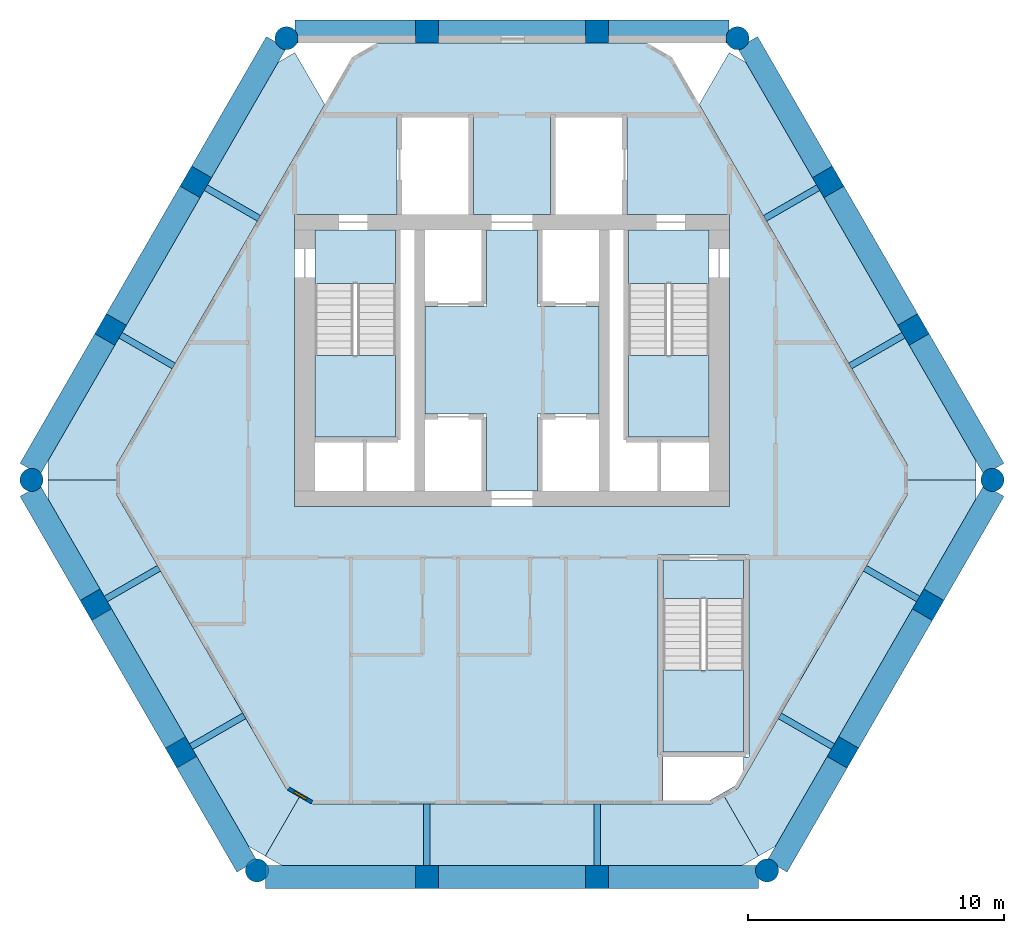
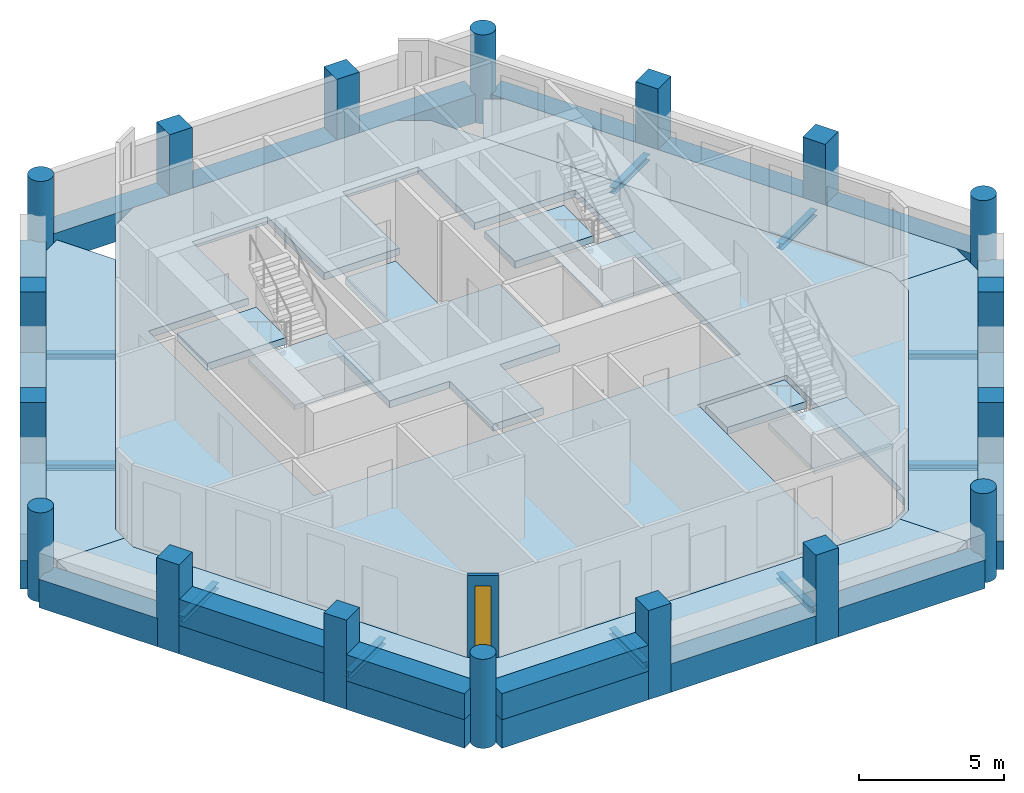
# One storey, part 1 of 6: 28 beams, 18 columns, 13 slabs, 4 walls, 1 window, 1 opening, 3 elements without a shape of their own.
"""IFC4 building model written with IfcOpenShell, lengths in metres."""

from ifc_helpers import new_model, si_unit, direction, frame, frame_2d, origin, origin_2d, place, context, subcontext, project, spatial, polyline, rectangle, circle, i_section, outline, extrude, material, layer, layer_set, material_profile, profile_set, type_object, element, fill, aggregate, save


model = new_model("IFC4")

# Units and contexts
model_context = context("Model", 3, precision=1e-05, world=origin(), true_north=direction((0.0, 1.0)))
body_context = subcontext(model_context, "Body", "Model", "MODEL_VIEW")
ifc_project = project(units=[si_unit("LENGTHUNIT", "METRE"), si_unit("AREAUNIT", "SQUARE_METRE"), si_unit("VOLUMEUNIT", "CUBIC_METRE"), si_unit("PLANEANGLEUNIT", "RADIAN"), si_unit("MASSUNIT", "GRAM", prefix="KILO")], contexts=[model_context])

# Site, building, storey
site_placement = place(None, origin())
site = spatial("IfcSite", under=ifc_project, at=site_placement, CompositionType="ELEMENT")
building_placement = place(site_placement, origin())
building = spatial("IfcBuilding", under=site, at=building_placement, Name="Ostrander Bayou Hotel Tower", CompositionType="ELEMENT")
storey_placement = place(building_placement, frame((0.0, 0.0, 252.5)))
storey = spatial("IfcBuildingStorey", under=building, at=storey_placement, Name="L62", CompositionType="ELEMENT", Elevation=252.5)

# Columns
ifc_material_1 = material(Name="Concrete f'c 60 MPa", Category="concrete")
ifc_material_profile_1 = material_profile(ifc_material_1, circle(Radius=0.449951171875, at=origin_2d()))
ifc_profile_set_1 = profile_set([ifc_material_profile_1], Name="Concrete f'c 60 MPa")
column_type_1 = type_object("IfcColumnType", Name="C7 round column 900 mm f'c 60 MPa", PredefinedType="COLUMN", material=ifc_profile_set_1)
for number, where, z_axis, x_axis, name in (
    (1, (-8.80908203125, 16.588623046875, -1.199951171875), (0.0, 0.0, 1.0), (1.0, 0.0, 0.0), "C7 L62 K0"),
    (2, (-18.770751953125, -0.66552734375, -1.199951171875), (0.0, 0.0, 1.0), (1.0, 0.0, 0.0), "C7 L62 K1"),
    (3, (-9.9619140625, -15.923095703125, -1.199951171875), (0.0, 0.0, 1.0), (1.0, 0.0, 0.0), "C7 L62 K2"),
    (4, (9.9619140625, -15.923095703125, -1.199951171875), (0.0, 0.0, 1.0), (1.0, 0.0, 0.0), "C7 L62 K3"),
    (5, (18.770751953125, -0.66552734375, -1.199951171875), (0.0, 0.0, 1.0), (1.0, 0.0, 0.0), "C7 L62 K4"),
    (6, (8.80908203125, 16.588623046875, -1.199951171875), (0.0, 0.0, 1.0), (1.0, 0.0, 0.0), "C7 L62 K5"),
):
    element("IfcColumn", number, at=place(storey_placement, frame(where, z_axis=z_axis, x_axis=x_axis)), inside=storey, type_object=column_type_1, Name=name, PredefinedType="COLUMN", context=body_context, shape_type="SweptSolid", body=[
        extrude(circle(Radius=0.449951171875, at=origin_2d()), origin(), (0.0, 0.0, 1.0), 3.75),
    ])
ifc_material_2 = material(Name="Concrete f'c 60 MPa", Category="concrete")
ifc_material_profile_2 = material_profile(ifc_material_2, rectangle(XDim=0.89990234375, YDim=0.89990234375, at=origin_2d()))
ifc_profile_set_2 = profile_set([ifc_material_profile_2], Name="Concrete f'c 60 MPa")
column_type_2 = type_object("IfcColumnType", Name="C8 square column 900 x 900 mm f'c 60 MPa", PredefinedType="COLUMN", material=ifc_profile_set_2)
for number, where, z_axis, x_axis, name in (
    (7, (3.329345703125, 16.85009765625, -1.199951171875), (0.0, 0.0, 1.0), (1.0, 0.0, 0.0), "C8 L62 N1"),
    (8, (-3.329345703125, 16.85009765625, -1.199951171875), (0.0, 0.0, 1.0), (1.0, 0.0, 0.0), "C8 L62 N2"),
    (9, (-12.3515625, 10.9755859375, -1.199951171875), (0.0, 0.0, 1.0), (0.5, 0.866025403784, 0.0), "C8 L62 NW1"),
    (10, (-15.680908203125, 5.208984375, -1.199951171875), (0.0, 0.0, 1.0), (0.5, 0.866025403784, 0.0), "C8 L62 NW2"),
    (11, (-16.257080078125, -5.541748046875, -1.199951171875), (0.0, 0.0, 1.0), (-0.5, 0.866025403784, 0.0), "C8 L62 SW1"),
    (12, (-12.927734375, -11.308349609375, -1.199951171875), (0.0, 0.0, 1.0), (-0.5, 0.866025403784, 0.0), "C8 L62 SW2"),
    (13, (-3.329345703125, -16.1845703125, -1.199951171875), (0.0, 0.0, 1.0), (-1.0, 0.0, 0.0), "C8 L62 S1"),
    (14, (3.329345703125, -16.1845703125, -1.199951171875), (0.0, 0.0, 1.0), (-1.0, 0.0, 0.0), "C8 L62 S2"),
    (15, (12.927734375, -11.308349609375, -1.199951171875), (0.0, 0.0, 1.0), (-0.5, -0.866025403784, 0.0), "C8 L62 SE1"),
    (16, (16.257080078125, -5.541748046875, -1.199951171875), (0.0, 0.0, 1.0), (-0.5, -0.866025403784, 0.0), "C8 L62 SE2"),
    (17, (15.680908203125, 5.208984375, -1.199951171875), (0.0, 0.0, 1.0), (0.5, -0.866025403784, 0.0), "C8 L62 NE1"),
    (18, (12.3515625, 10.9755859375, -1.199951171875), (0.0, 0.0, 1.0), (0.5, -0.866025403784, 0.0), "C8 L62 NE2"),
):
    element("IfcColumn", number, at=place(storey_placement, frame(where, z_axis=z_axis, x_axis=x_axis)), inside=storey, type_object=column_type_2, Name=name, PredefinedType="COLUMN", context=body_context, shape_type="SweptSolid", body=[
        extrude(rectangle(XDim=0.89990234375, YDim=0.89990234375, at=origin_2d()), origin(), (0.0, 0.0, 1.0), 3.75),
    ])

# Beams
ifc_material_3 = material(Name="Steel ASTM A992", Category="steel")
ifc_material_profile_3 = material_profile(ifc_material_3, i_section(OverallWidth=0.25390625, OverallDepth=0.25341796875, WebThickness=0.008544921875, FlangeThickness=0.01416015625, at=origin_2d()))
ifc_profile_set_3 = profile_set([ifc_material_profile_3], Name="Steel ASTM A992")
beam_type_1 = type_object("IfcBeamType", Name="LB2 loggia bracket W10x49", PredefinedType="BEAM", material=ifc_profile_set_3)
for number, where, z_axis, x_axis, name in (
    (19, (-11.9619140625, 10.75048828125, -0.4267578125), (0.866050077142, -0.499957262057, 0.0), (0.499957262057, 0.866050077142, 0.0), "LB2 L62 NW1"),
    (20, (-15.291259765625, 4.98388671875, -0.4267578125), (0.866050077142, -0.499957262057, 0.0), (0.499957262057, 0.866050077142, 0.0), "LB2 L62 NW2"),
):
    element("IfcBeam", number, at=place(storey_placement, frame(where, z_axis=z_axis, x_axis=x_axis)), inside=storey, type_object=beam_type_1, Name=name, PredefinedType="BEAM", context=body_context, shape_type="SweptSolid", body=[
        extrude(i_section(OverallWidth=0.25390625, OverallDepth=0.25341796875, WebThickness=0.008544921875, FlangeThickness=0.01416015625, at=origin_2d()), origin(), (0.0, 0.0, 1.0), 2.400146484375),
    ])
for number, where, z_axis, x_axis, name in (
    (21, (-15.867431640625, -5.316650390625, -0.4267578125), (0.866024647952, 0.500001309137, 0.0), (-0.500001309137, 0.866024647952, 0.0), "LB2 L62 SW1"),
    (22, (-12.5380859375, -11.083251953125, -0.4267578125), (0.866024647952, 0.500001309137, 0.0), (-0.500001309137, 0.866024647952, 0.0), "LB2 L62 SW2"),
):
    element("IfcBeam", number, at=place(storey_placement, frame(where, z_axis=z_axis, x_axis=x_axis)), inside=storey, type_object=beam_type_1, Name=name, PredefinedType="BEAM", context=body_context, shape_type="SweptSolid", body=[
        extrude(i_section(OverallWidth=0.25390625, OverallDepth=0.25341796875, WebThickness=0.008544921875, FlangeThickness=0.01416015625, at=origin_2d()), origin(), (0.0, 0.0, 1.0), 2.39990234375),
    ])
for number, where, z_axis, x_axis, name in (
    (23, (-3.329345703125, -15.734619140625, -0.4267578125), (0.0, 1.0, 0.0), (-1.0, 0.0, 0.0), "LB2 L62 S1"),
    (24, (3.329345703125, -15.734619140625, -0.4267578125), (0.0, 1.0, 0.0), (-1.0, 0.0, 0.0), "LB2 L62 S2"),
):
    element("IfcBeam", number, at=place(storey_placement, frame(where, z_axis=z_axis, x_axis=x_axis)), inside=storey, type_object=beam_type_1, Name=name, PredefinedType="BEAM", context=body_context, shape_type="SweptSolid", body=[
        extrude(i_section(OverallWidth=0.25390625, OverallDepth=0.25341796875, WebThickness=0.008544921875, FlangeThickness=0.01416015625, at=origin_2d()), origin(), (0.0, 0.0, 1.0), 2.400146484375),
    ])
for number, where, z_axis, x_axis, name in (
    (25, (12.5380859375, -11.083251953125, -0.4267578125), (-0.866024647952, 0.500001309137, 0.0), (-0.500001309137, -0.866024647952, 0.0), "LB2 L62 SE1"),
    (26, (15.867431640625, -5.316650390625, -0.4267578125), (-0.866024647952, 0.500001309137, 0.0), (-0.500001309137, -0.866024647952, 0.0), "LB2 L62 SE2"),
):
    element("IfcBeam", number, at=place(storey_placement, frame(where, z_axis=z_axis, x_axis=x_axis)), inside=storey, type_object=beam_type_1, Name=name, PredefinedType="BEAM", context=body_context, shape_type="SweptSolid", body=[
        extrude(i_section(OverallWidth=0.25390625, OverallDepth=0.25341796875, WebThickness=0.008544921875, FlangeThickness=0.01416015625, at=origin_2d()), origin(), (0.0, 0.0, 1.0), 2.39990234375),
    ])
for number, where, z_axis, x_axis, name in (
    (27, (15.291259765625, 4.98388671875, -0.4267578125), (-0.866050077142, -0.499957262057, 0.0), (0.499957262057, -0.866050077142, 0.0), "LB2 L62 NE1"),
    (28, (11.9619140625, 10.75048828125, -0.4267578125), (-0.866050077142, -0.499957262057, 0.0), (0.499957262057, -0.866050077142, 0.0), "LB2 L62 NE2"),
):
    element("IfcBeam", number, at=place(storey_placement, frame(where, z_axis=z_axis, x_axis=x_axis)), inside=storey, type_object=beam_type_1, Name=name, PredefinedType="BEAM", context=body_context, shape_type="SweptSolid", body=[
        extrude(i_section(OverallWidth=0.25390625, OverallDepth=0.25341796875, WebThickness=0.008544921875, FlangeThickness=0.01416015625, at=origin_2d()), origin(), (0.0, 0.0, 1.0), 2.400146484375),
    ])
ifc_material_4 = material(Name="Concrete f'c 60 MPa", Category="concrete")
ifc_material_profile_4 = material_profile(ifc_material_4, rectangle(XDim=0.89990234375, YDim=1.199951171875, at=origin_2d()))
ifc_profile_set_4 = profile_set([ifc_material_profile_4], Name="Concrete f'c 60 MPa")
beam_type_2 = type_object("IfcBeamType", Name="SP4 spandrel beam 900 x 1200 mm f'c 60 MPa", PredefinedType="SPANDREL", material=ifc_profile_set_4)
beam_1_placement = place(storey_placement, frame((8.47265625, 16.85009765625, -0.60009765625), z_axis=(-1.0, 0.0, 0.0), x_axis=(0.0, -1.0, 0.0)))
element("IfcBeam", 29, at=beam_1_placement, inside=storey, type_object=beam_type_2, Name="SP4 L62 N-1", PredefinedType="SPANDREL", context=body_context, shape_type="SweptSolid", body=[
    extrude(rectangle(XDim=0.89990234375, YDim=1.199951171875, at=origin_2d()), origin(), (0.0, 0.0, 1.0), 4.72314453125),
])
beam_2_placement = place(storey_placement, frame((2.909423828125, 16.85009765625, -0.60009765625), z_axis=(-1.0, 0.0, 0.0), x_axis=(0.0, -1.0, 0.0)))
element("IfcBeam", 30, at=beam_2_placement, inside=storey, type_object=beam_type_2, Name="SP4 L62 N-2", PredefinedType="SPANDREL", context=body_context, shape_type="SweptSolid", body=[
    extrude(rectangle(XDim=0.89990234375, YDim=1.199951171875, at=origin_2d()), origin(), (0.0, 0.0, 1.0), 5.81884765625),
])
beam_3_placement = place(storey_placement, frame((-3.74951171875, 16.85009765625, -0.60009765625), z_axis=(-1.0, 0.0, 0.0), x_axis=(0.0, -1.0, 0.0)))
element("IfcBeam", 31, at=beam_3_placement, inside=storey, type_object=beam_type_2, Name="SP4 L62 N-3", PredefinedType="SPANDREL", context=body_context, shape_type="SweptSolid", body=[
    extrude(rectangle(XDim=0.89990234375, YDim=1.199951171875, at=origin_2d()), origin(), (0.0, 0.0, 1.0), 4.72314453125),
])
beam_4_placement = place(storey_placement, frame((-9.20361328125, 16.427978515625, -0.60009765625), z_axis=(-0.500008985279, -0.866020216069, 0.0), x_axis=(0.866020216069, -0.500008985279, 0.0)))
element("IfcBeam", 32, at=beam_4_placement, inside=storey, type_object=beam_type_2, Name="SP4 L62 NW-1", PredefinedType="SPANDREL", context=body_context, shape_type="SweptSolid", body=[
    extrude(rectangle(XDim=0.89990234375, YDim=1.199951171875, at=origin_2d()), origin(), (0.0, 0.0, 1.0), 5.8759765625),
])
beam_5_placement = place(storey_placement, frame((-12.5615234375, 10.61181640625, -0.60009765625), z_axis=(-0.499997265274, -0.866026982673, 0.0), x_axis=(0.866026982673, -0.499997265274, 0.0)))
element("IfcBeam", 33, at=beam_5_placement, inside=storey, type_object=beam_type_2, Name="SP4 L62 NW-2", PredefinedType="SPANDREL", context=body_context, shape_type="SweptSolid", body=[
    extrude(rectangle(XDim=0.89990234375, YDim=1.199951171875, at=origin_2d()), origin(), (0.0, 0.0, 1.0), 5.81884765625),
])
beam_6_placement = place(storey_placement, frame((-15.890869140625, 4.84521484375, -0.60009765625), z_axis=(-0.499990994059, -0.866030603304, 0.0), x_axis=(0.866030603304, -0.499990994059, 0.0)))
element("IfcBeam", 34, at=beam_6_placement, inside=storey, type_object=beam_type_2, Name="SP4 L62 NW-3", PredefinedType="SPANDREL", context=body_context, shape_type="SweptSolid", body=[
    extrude(rectangle(XDim=0.89990234375, YDim=1.199951171875, at=origin_2d()), origin(), (0.0, 0.0, 1.0), 5.8759765625),
])
beam_7_placement = place(storey_placement, frame((-18.828857421875, -1.08740234375, -0.60009765625), z_axis=(0.499980471007, -0.86603667856, 0.0), x_axis=(0.86603667856, 0.499980471007, 0.0)))
element("IfcBeam", 35, at=beam_7_placement, inside=storey, type_object=beam_type_2, Name="SP4 L62 SW-1", PredefinedType="SPANDREL", context=body_context, shape_type="SweptSolid", body=[
    extrude(rectangle(XDim=0.89990234375, YDim=1.199951171875, at=origin_2d()), origin(), (0.0, 0.0, 1.0), 4.723388671875),
])
beam_8_placement = place(storey_placement, frame((-16.047119140625, -5.905517578125, -0.60009765625), z_axis=(0.500015433515, -0.866016493057, 0.0), x_axis=(0.866016493057, 0.500015433515, 0.0)))
element("IfcBeam", 36, at=beam_8_placement, inside=storey, type_object=beam_type_2, Name="SP4 L62 SW-2", PredefinedType="SPANDREL", context=body_context, shape_type="SweptSolid", body=[
    extrude(rectangle(XDim=0.89990234375, YDim=1.199951171875, at=origin_2d()), origin(), (0.0, 0.0, 1.0), 5.818603515625),
])
beam_9_placement = place(storey_placement, frame((-12.7177734375, -11.672119140625, -0.60009765625), z_axis=(0.500002852929, -0.866023756639, 0.0), x_axis=(0.866023756639, 0.500002852929, 0.0)))
element("IfcBeam", 37, at=beam_9_placement, inside=storey, type_object=beam_type_2, Name="SP4 L62 SW-3", PredefinedType="SPANDREL", context=body_context, shape_type="SweptSolid", body=[
    extrude(rectangle(XDim=0.89990234375, YDim=1.199951171875, at=origin_2d()), origin(), (0.0, 0.0, 1.0), 4.72314453125),
])
beam_10_placement = place(storey_placement, frame((-9.62548828125, -16.1845703125, -0.60009765625), z_axis=(1.0, 0.0, 0.0), x_axis=(0.0, 1.0, 0.0)))
element("IfcBeam", 38, at=beam_10_placement, inside=storey, type_object=beam_type_2, Name="SP4 L62 S-1", PredefinedType="SPANDREL", context=body_context, shape_type="SweptSolid", body=[
    extrude(rectangle(XDim=0.89990234375, YDim=1.199951171875, at=origin_2d()), origin(), (0.0, 0.0, 1.0), 5.8759765625),
])
beam_11_placement = place(storey_placement, frame((-2.909423828125, -16.1845703125, -0.60009765625), z_axis=(1.0, 0.0, 0.0), x_axis=(0.0, 1.0, 0.0)))
element("IfcBeam", 39, at=beam_11_placement, inside=storey, type_object=beam_type_2, Name="SP4 L62 S-2", PredefinedType="SPANDREL", context=body_context, shape_type="SweptSolid", body=[
    extrude(rectangle(XDim=0.89990234375, YDim=1.199951171875, at=origin_2d()), origin(), (0.0, 0.0, 1.0), 5.81884765625),
])
beam_12_placement = place(storey_placement, frame((3.74951171875, -16.1845703125, -0.60009765625), z_axis=(1.0, 0.0, 0.0), x_axis=(0.0, 1.0, 0.0)))
element("IfcBeam", 40, at=beam_12_placement, inside=storey, type_object=beam_type_2, Name="SP4 L62 S-3", PredefinedType="SPANDREL", context=body_context, shape_type="SweptSolid", body=[
    extrude(rectangle(XDim=0.89990234375, YDim=1.199951171875, at=origin_2d()), origin(), (0.0, 0.0, 1.0), 5.8759765625),
])
beam_13_placement = place(storey_placement, frame((10.356201171875, -15.762451171875, -0.60009765625), z_axis=(0.500002852929, 0.866023756639, 0.0), x_axis=(-0.866023756639, 0.500002852929, 0.0)))
element("IfcBeam", 41, at=beam_13_placement, inside=storey, type_object=beam_type_2, Name="SP4 L62 SE-1", PredefinedType="SPANDREL", context=body_context, shape_type="SweptSolid", body=[
    extrude(rectangle(XDim=0.89990234375, YDim=1.199951171875, at=origin_2d()), origin(), (0.0, 0.0, 1.0), 4.72314453125),
])
beam_14_placement = place(storey_placement, frame((13.1376953125, -10.944580078125, -0.60009765625), z_axis=(0.500015433515, 0.866016493057, 0.0), x_axis=(-0.866016493057, 0.500015433515, 0.0)))
element("IfcBeam", 42, at=beam_14_placement, inside=storey, type_object=beam_type_2, Name="SP4 L62 SE-2", PredefinedType="SPANDREL", context=body_context, shape_type="SweptSolid", body=[
    extrude(rectangle(XDim=0.89990234375, YDim=1.199951171875, at=origin_2d()), origin(), (0.0, 0.0, 1.0), 5.818603515625),
])
beam_15_placement = place(storey_placement, frame((16.46728515625, -5.177978515625, -0.60009765625), z_axis=(0.499980471007, 0.86603667856, 0.0), x_axis=(-0.86603667856, 0.499980471007, 0.0)))
element("IfcBeam", 43, at=beam_15_placement, inside=storey, type_object=beam_type_2, Name="SP4 L62 SE-3", PredefinedType="SPANDREL", context=body_context, shape_type="SweptSolid", body=[
    extrude(rectangle(XDim=0.89990234375, YDim=1.199951171875, at=origin_2d()), origin(), (0.0, 0.0, 1.0), 4.723388671875),
])
beam_16_placement = place(storey_placement, frame((18.828857421875, -0.24365234375, -0.60009765625), z_axis=(-0.499990994059, 0.866030603304, 0.0), x_axis=(-0.866030603304, -0.499990994059, 0.0)))
element("IfcBeam", 44, at=beam_16_placement, inside=storey, type_object=beam_type_2, Name="SP4 L62 NE-1", PredefinedType="SPANDREL", context=body_context, shape_type="SweptSolid", body=[
    extrude(rectangle(XDim=0.89990234375, YDim=1.199951171875, at=origin_2d()), origin(), (0.0, 0.0, 1.0), 5.8759765625),
])
beam_17_placement = place(storey_placement, frame((15.470947265625, 5.572509765625, -0.60009765625), z_axis=(-0.499997265274, 0.866026982673, 0.0), x_axis=(-0.866026982673, -0.499997265274, 0.0)))
element("IfcBeam", 45, at=beam_17_placement, inside=storey, type_object=beam_type_2, Name="SP4 L62 NE-2", PredefinedType="SPANDREL", context=body_context, shape_type="SweptSolid", body=[
    extrude(rectangle(XDim=0.89990234375, YDim=1.199951171875, at=origin_2d()), origin(), (0.0, 0.0, 1.0), 5.81884765625),
])
beam_18_placement = place(storey_placement, frame((12.1416015625, 11.33935546875, -0.60009765625), z_axis=(-0.500008985279, 0.866020216069, 0.0), x_axis=(-0.866020216069, -0.500008985279, 0.0)))
element("IfcBeam", 46, at=beam_18_placement, inside=storey, type_object=beam_type_2, Name="SP4 L62 NE-3", PredefinedType="SPANDREL", context=body_context, shape_type="SweptSolid", body=[
    extrude(rectangle(XDim=0.89990234375, YDim=1.199951171875, at=origin_2d()), origin(), (0.0, 0.0, 1.0), 5.8759765625),
])

# Slabs
ifc_material_5 = material(Name="Concrete f'c 40 MPa", Category="concrete")
ifc_layer_1 = layer(ifc_material_5, 0.300048828125)
ifc_layer_set_1 = layer_set([ifc_layer_1], Name="SL1 floor slab 300 mm f'c 40 MPa")
slab_type_1 = type_object("IfcSlabType", Name="SL1 floor slab 300 mm f'c 40 MPa", PredefinedType="FLOOR", material=ifc_layer_set_1)
slab_1_placement = place(storey_placement, frame((0.0, 0.0, -0.300048828125)))
element("IfcSlab", 47, at=slab_1_placement, inside=storey, type_object=slab_type_1, Name="SL1 L62 1", PredefinedType="FLOOR", context=body_context, shape_type="SweptSolid", body=[
    extrude(outline(polyline([(-2.909423828125, 16.39990234375), (2.909423828125, 16.39990234375), (3.74951171875, 16.39990234375), (5.236083984375, 16.39990234375), (6.275146484375, 15.800048828125), (15.435302734375, -0.0654296875), (15.435302734375, -1.265380859375), (8.8134765625, -12.734619140625), (7.7744140625, -13.33447265625), (-7.7744140625, -13.33447265625), (-8.8134765625, -12.734619140625), (-15.435302734375, -1.265380859375), (-15.435302734375, -0.0654296875), (-6.275146484375, 15.800048828125), (-5.236083984375, 16.39990234375), (-3.74951171875, 16.39990234375), (-2.909423828125, 16.39990234375)]), holes=[polyline([(9.050048828125, -12.02490234375), (9.050048828125, -11.5), (9.25, -11.5), (9.25, -3.60009765625), (5.699951171875, -3.60009765625), (5.699951171875, -11.5), (5.89990234375, -11.5), (5.89990234375, -13.1845703125), (7.734130859375, -13.1845703125), (8.70361328125, -12.624755859375), (9.050048828125, -12.02490234375)]), polyline([(-8.5, -1.699951171875), (8.5, -1.699951171875), (8.5, 9.699951171875), (4.5, 9.699951171875), (4.5, 13.60009765625), (1.5, 13.60009765625), (1.5, 9.699951171875), (-1.5, 9.699951171875), (-1.5, 13.60009765625), (-4.5, 13.60009765625), (-4.5, 9.699951171875), (-8.5, 9.699951171875), (-8.5, -1.699951171875)])]), origin(), (0.0, 0.0, 1.0), 0.300048828125),
])
slab_2_placement = place(storey_placement, frame((0.0, 0.0, -0.300048828125)))
element("IfcSlab", 48, at=slab_2_placement, inside=storey, type_object=slab_type_1, Name="cslab:L62:001", PredefinedType="FLOOR", context=body_context, shape_type="SweptSolid", body=[
    extrude(outline(polyline([(-3.39990234375, 6.10009765625), (-1.0, 6.10009765625), (-1.0, 9.10009765625), (1.0, 9.10009765625), (1.0, 6.10009765625), (3.39990234375, 6.10009765625), (3.39990234375, 1.89990234375), (1.0, 1.89990234375), (1.0, -1.10009765625), (-1.0, -1.10009765625), (-1.0, 1.89990234375), (-3.39990234375, 1.89990234375), (-3.39990234375, 6.10009765625)])), origin(), (0.0, 0.0, 1.0), 0.300048828125),
])
slab_3_placement = place(storey_placement, frame((0.0, 0.0, -0.300048828125)))
element("IfcSlab", 49, at=slab_3_placement, inside=storey, type_object=slab_type_1, Name="cslab:L62:002", PredefinedType="FLOOR", context=body_context, shape_type="SweptSolid", body=[
    extrude(outline(polyline([(-4.550048828125, 7.0), (-4.550048828125, 9.10009765625), (-7.699951171875, 9.10009765625), (-7.699951171875, 7.0), (-4.550048828125, 7.0)])), origin(), (0.0, 0.0, 1.0), 0.300048828125),
])
slab_4_placement = place(storey_placement, frame((0.0, 0.0, -0.300048828125)))
element("IfcSlab", 50, at=slab_4_placement, inside=storey, type_object=slab_type_1, Name="cslab:L62:003", PredefinedType="FLOOR", context=body_context, shape_type="SweptSolid", body=[
    extrude(outline(polyline([(7.699951171875, 7.0), (7.699951171875, 9.10009765625), (4.550048828125, 9.10009765625), (4.550048828125, 7.0), (7.699951171875, 7.0)])), origin(), (0.0, 0.0, 1.0), 0.300048828125),
])
slab_5_placement = place(storey_placement, frame((0.0, 0.0, -0.300048828125)))
element("IfcSlab", 51, at=slab_5_placement, inside=storey, type_object=slab_type_1, Name="cslab:L62:004", PredefinedType="FLOOR", context=body_context, shape_type="SweptSolid", body=[
    extrude(outline(polyline([(9.050048828125, -5.300048828125), (9.050048828125, -3.800048828125), (5.89990234375, -3.800048828125), (5.89990234375, -5.300048828125), (9.050048828125, -5.300048828125)])), origin(), (0.0, 0.0, 1.0), 0.300048828125),
])
ifc_material_6 = material(Name="Concrete f'c 40 MPa", Category="concrete")
ifc_layer_2 = layer(ifc_material_6, 0.300048828125)
ifc_layer_set_2 = layer_set([ifc_layer_2], Name="SL4 loggia slab 300 mm f'c 40 MPa")
slab_type_2 = type_object("IfcSlabType", Name="SL4 loggia slab 300 mm f'c 40 MPa", PredefinedType="FLOOR", material=ifc_layer_set_2)
slab_6_placement = place(storey_placement, frame((0.0, 0.0, -0.300048828125)))
element("IfcSlab", 52, at=slab_6_placement, inside=storey, type_object=slab_type_2, Name="SL4 LOGGIA L62 NW 1", PredefinedType="FLOOR", context=body_context, shape_type="SweptSolid", body=[
    extrude(outline(polyline([(-18.119873046875, -0.66552734375), (-18.119873046875, 0.08447265625), (-15.501220703125, 4.6201171875), (-15.081298828125, 5.34765625), (-13.514404296875, 8.06103515625), (-12.171875, 10.38671875), (-11.751708984375, 11.1142578125), (-9.133056640625, 15.64990234375), (-8.483642578125, 16.02490234375), (-7.314453125, 14.0), (-15.435302734375, -0.0654296875), (-15.435302734375, -0.66552734375), (-18.119873046875, -0.66552734375)])), origin(), (0.0, 0.0, 1.0), 0.300048828125),
])
slab_7_placement = place(storey_placement, frame((0.0, 0.0, -0.300048828125)))
element("IfcSlab", 53, at=slab_7_placement, inside=storey, type_object=slab_type_2, Name="SL4 LOGGIA L62 SW 1", PredefinedType="FLOOR", context=body_context, shape_type="SweptSolid", body=[
    extrude(outline(polyline([(-8.2939453125, -13.034423828125), (-9.63623046875, -15.359619140625), (-10.285888671875, -14.984619140625), (-12.328125, -11.447021484375), (-12.748046875, -10.719482421875), (-15.657470703125, -5.680419921875), (-16.077392578125, -4.952880859375), (-16.893310546875, -3.5400390625), (-18.119873046875, -1.41552734375), (-18.119873046875, -0.66552734375), (-15.435302734375, -0.66552734375), (-15.435302734375, -1.265380859375), (-8.8134765625, -12.734619140625), (-8.2939453125, -13.034423828125)])), origin(), (0.0, 0.0, 1.0), 0.300048828125),
])
slab_8_placement = place(storey_placement, frame((0.0, 0.0, -0.300048828125)))
element("IfcSlab", 54, at=slab_8_placement, inside=storey, type_object=slab_type_2, Name="SL4 LOGGIA L62 S 1", PredefinedType="FLOOR", context=body_context, shape_type="SweptSolid", body=[
    extrude(outline(polyline([(8.2939453125, -13.034423828125), (9.63623046875, -15.359619140625), (8.98681640625, -15.734619140625), (3.74951171875, -15.734619140625), (2.909423828125, -15.734619140625), (-2.909423828125, -15.734619140625), (-3.74951171875, -15.734619140625), (-8.98681640625, -15.734619140625), (-9.63623046875, -15.359619140625), (-8.2939453125, -13.034423828125), (-7.7744140625, -13.33447265625), (7.7744140625, -13.33447265625), (8.2939453125, -13.034423828125)])), origin(), (0.0, 0.0, 1.0), 0.300048828125),
])
slab_9_placement = place(storey_placement, frame((0.0, 0.0, -0.300048828125)))
element("IfcSlab", 55, at=slab_9_placement, inside=storey, type_object=slab_type_2, Name="SL4 LOGGIA L62 SE 1", PredefinedType="FLOOR", context=body_context, shape_type="SweptSolid", body=[
    extrude(outline(polyline([(15.435302734375, -0.66552734375), (18.119873046875, -0.66552734375), (18.119873046875, -1.41552734375), (16.077392578125, -4.952880859375), (15.657470703125, -5.680419921875), (12.748046875, -10.719482421875), (12.328125, -11.447021484375), (10.285888671875, -14.984619140625), (9.63623046875, -15.359619140625), (8.2939453125, -13.034423828125), (8.8134765625, -12.734619140625), (15.435302734375, -1.265380859375), (15.435302734375, -0.66552734375)])), origin(), (0.0, 0.0, 1.0), 0.300048828125),
])
slab_10_placement = place(storey_placement, frame((0.0, 0.0, -0.300048828125)))
element("IfcSlab", 56, at=slab_10_placement, inside=storey, type_object=slab_type_2, Name="SL4 LOGGIA L62 NE 1", PredefinedType="FLOOR", context=body_context, shape_type="SweptSolid", body=[
    extrude(outline(polyline([(8.483642578125, 16.02490234375), (9.133056640625, 15.64990234375), (11.751708984375, 11.1142578125), (12.171875, 10.38671875), (15.081298828125, 5.34765625), (15.501220703125, 4.6201171875), (17.7255859375, 0.767578125), (18.02880859375, 0.241943359375), (18.119873046875, 0.08447265625), (18.119873046875, -0.66552734375), (15.435302734375, -0.66552734375), (15.435302734375, -0.0654296875), (7.314453125, 14.0), (8.483642578125, 16.02490234375)])), origin(), (0.0, 0.0, 1.0), 0.300048828125),
])

# Stair, slab
ifc_material_7 = material(Name="Concrete f'c 45 MPa", Category="concrete")
stair_type = type_object("IfcStairType", Name="ST1 exit stair 1500 mm f'c 45 MPa", PredefinedType="HALF_TURN_STAIR", material=ifc_material_7)
stair_1_placement = place(storey_placement, origin())
stair_1 = element("IfcStair", 57, at=stair_1_placement, inside=storey, type_object=stair_type, Name="L62 exit stair A", PredefinedType="HALF_TURN_STAIR")
ifc_material_8 = material(Name="Concrete f'c 45 MPa", Category="concrete")
ifc_layer_3 = layer(ifc_material_8, 0.199951171875)
ifc_layer_set_3 = layer_set([ifc_layer_3], Name="SL8 stair landing 200 mm f'c 45 MPa")
slab_type_3 = type_object("IfcSlabType", Name="SL8 stair landing 200 mm f'c 45 MPa", PredefinedType="LANDING", material=ifc_layer_set_3)
slab_11_placement = place(storey_placement, frame((0.0, 0.0, 1.675048828125)))
slab_11 = element("IfcSlab", 58, at=slab_11_placement, type_object=slab_type_3, Name="STA landing 1", PredefinedType="LANDING", context=body_context, shape_type="SweptSolid", body=[
    extrude(outline(polyline([(-7.699951171875, 4.199951171875), (-7.699951171875, 1.0), (-4.550048828125, 1.0), (-4.550048828125, 4.199951171875), (-7.699951171875, 4.199951171875)])), origin(), (0.0, 0.0, 1.0), 0.199951171875),
])
aggregate(stair_1, [slab_11])

stair_2_placement = place(storey_placement, origin())
stair_2 = element("IfcStair", 59, at=stair_2_placement, inside=storey, type_object=stair_type, Name="L62 exit stair B", PredefinedType="HALF_TURN_STAIR")
slab_12_placement = place(storey_placement, frame((0.0, 0.0, 1.675048828125)))
slab_12 = element("IfcSlab", 60, at=slab_12_placement, type_object=slab_type_3, Name="STB landing 1", PredefinedType="LANDING", context=body_context, shape_type="SweptSolid", body=[
    extrude(outline(polyline([(4.550048828125, 4.199951171875), (4.550048828125, 1.0), (7.699951171875, 1.0), (7.699951171875, 4.199951171875), (4.550048828125, 4.199951171875)])), origin(), (0.0, 0.0, 1.0), 0.199951171875),
])
aggregate(stair_2, [slab_12])

stair_3_placement = place(storey_placement, origin())
stair_3 = element("IfcStair", 61, at=stair_3_placement, inside=storey, type_object=stair_type, Name="L62 exit stair C", PredefinedType="HALF_TURN_STAIR")
slab_13_placement = place(storey_placement, frame((0.0, 0.0, 1.675048828125)))
slab_13 = element("IfcSlab", 62, at=slab_13_placement, type_object=slab_type_3, Name="STC landing 1", PredefinedType="LANDING", context=body_context, shape_type="SweptSolid", body=[
    extrude(outline(polyline([(5.89990234375, -8.10009765625), (5.89990234375, -11.300048828125), (9.050048828125, -11.300048828125), (9.050048828125, -8.10009765625), (5.89990234375, -8.10009765625)])), origin(), (0.0, 0.0, 1.0), 0.199951171875),
])
aggregate(stair_3, [slab_13])

# Wall, opening, window
ifc_material_9 = material(Name="Aluminium framed insulated wall", Category="aluminium")
ifc_layer_4 = layer(ifc_material_9, 0.14990234375)
ifc_layer_set_4 = layer_set([ifc_layer_4], Name="GW1 glass-line wall 150 mm")
wall_type_1 = type_object("IfcWallType", Name="GW1 glass-line wall 150 mm", PredefinedType="SOLIDWALL", material=ifc_layer_set_4)
wall_1_placement = place(storey_placement, frame((-8.731201171875, -12.72705078125, 0.0), z_axis=(0.0, 0.0, 1.0), x_axis=(0.865990848561, -0.500059846627, 0.0)))
wall_1 = element("IfcWall", 63, at=wall_1_placement, inside=storey, type_object=wall_type_1, Name="GW1 L62 corner 3", PredefinedType="SOLIDWALL", context=body_context, shape_type="SweptSolid", body=[
    extrude(rectangle(XDim=1.064697265625, YDim=0.14990234375, at=frame_2d((0.5322265625, 0.0))), origin(), (0.0, 0.0, 1.0), 3.449951171875),
])
opening_placement = place(wall_1_placement, frame((0.257568359375, 0.0, 0.14990234375)))
opening = element("IfcOpeningElement", 64, at=opening_placement, cuts=wall_1, Name="Opening W19", PredefinedType="OPENING", context=body_context, shape_type="SweptSolid", body=[
    extrude(rectangle(XDim=0.550048828125, YDim=2.85009765625, at=frame_2d((0.27490234375, 1.425048828125))), frame((0.0, 0.074951171875, 0.0), z_axis=(0.0, -1.0, 0.0), x_axis=(1.0, 0.0, 0.0)), (0.0, 0.0, 1.0), 0.14990234375),
])
ifc_material_10 = material(Name="Aluminium and clear glass", Category="aluminium")
window_type = type_object("IfcWindowType", Name="W19 corner window 550 mm", PartitioningType="SINGLE_PANEL", PredefinedType="WINDOW", material=ifc_material_10)
window_placement = place(opening_placement, origin())
window = element("IfcWindow", 65, at=window_placement, inside=storey, type_object=window_type, Name="W19 L62 corner 3", OverallHeight=2.85009765625, OverallWidth=0.550048828125, PartitioningType="SINGLE_PANEL", PredefinedType="WINDOW", context=body_context, shape_type="SweptSolid", body=[
    extrude(rectangle(XDim=0.550048828125, YDim=2.85009765625, at=frame_2d((0.27490234375, 1.425048828125))), frame((0.0, 0.030029296875, 0.0), z_axis=(0.0, -1.0, 0.0), x_axis=(1.0, 0.0, 0.0)), (0.0, 0.0, 1.0), 0.06005859375),
])
fill(opening, window)

# Walls
ifc_material_11 = material(Name="Concrete f'c 40 MPa", Category="concrete")
ifc_layer_5 = layer(ifc_material_11, 0.89990234375)
ifc_layer_set_5 = layer_set([ifc_layer_5], Name="PA1 stone-faced parapet 900 mm")
wall_type_2 = type_object("IfcWallType", Name="PA1 stone-faced parapet 900 mm", PredefinedType="PARAPET", material=ifc_layer_set_5)
wall_2_placement = place(storey_placement, frame((-9.62548828125, -16.1845703125, 0.0), z_axis=(0.0, 0.0, 1.0), x_axis=(1.0, 0.0, 0.0)))
element("IfcWall", 66, at=wall_2_placement, inside=storey, type_object=wall_type_2, Name="PA1 L62 S-1", PredefinedType="PARAPET", context=body_context, shape_type="SweptSolid", body=[
    extrude(rectangle(XDim=5.8759765625, YDim=0.89990234375, at=frame_2d((2.93798828125, 0.0))), origin(), (0.0, 0.0, 1.0), 1.10009765625),
])
ifc_material_12 = material(Name="Limestone masonry", Category="masonry")
ifc_layer_6 = layer(ifc_material_12, 0.89990234375)
ifc_layer_set_6 = layer_set([ifc_layer_6], Name="PA2 limestone parapet 900 mm")
wall_type_3 = type_object("IfcWallType", Name="PA2 limestone parapet 900 mm", PredefinedType="PARAPET", material=ifc_layer_set_6)
wall_3_placement = place(storey_placement, frame((-16.047119140625, -5.905517578125, 0.0), z_axis=(0.0, 0.0, 1.0), x_axis=(0.500015433515, -0.866016493057, 0.0)))
element("IfcWall", 67, at=wall_3_placement, inside=storey, type_object=wall_type_3, Name="PA2 L62 SW-2", PredefinedType="PARAPET", context=body_context, shape_type="SweptSolid", body=[
    extrude(rectangle(XDim=5.818603515625, YDim=0.89990234375, at=frame_2d((2.9091796875, 0.0))), origin(), (0.0, 0.0, 1.0), 1.10009765625),
])
wall_4_placement = place(storey_placement, frame((-12.7177734375, -11.672119140625, 0.0), z_axis=(0.0, 0.0, 1.0), x_axis=(0.500002852929, -0.866023756639, 0.0)))
element("IfcWall", 68, at=wall_4_placement, inside=storey, type_object=wall_type_3, Name="PA2 L62 SW-3", PredefinedType="PARAPET", context=body_context, shape_type="SweptSolid", body=[
    extrude(rectangle(XDim=4.72314453125, YDim=0.89990234375, at=frame_2d((2.361572265625, 0.0))), origin(), (0.0, 0.0, 1.0), 1.10009765625),
])

save(model, "model.ifc")
